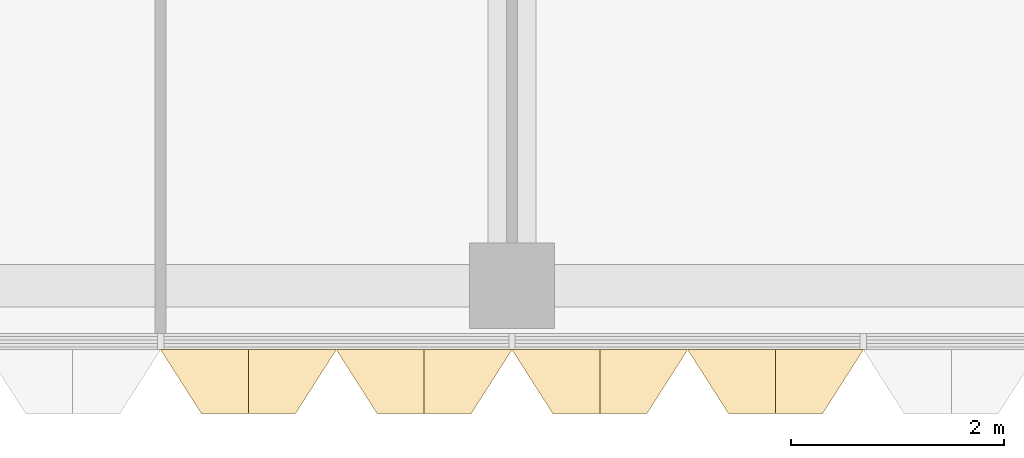
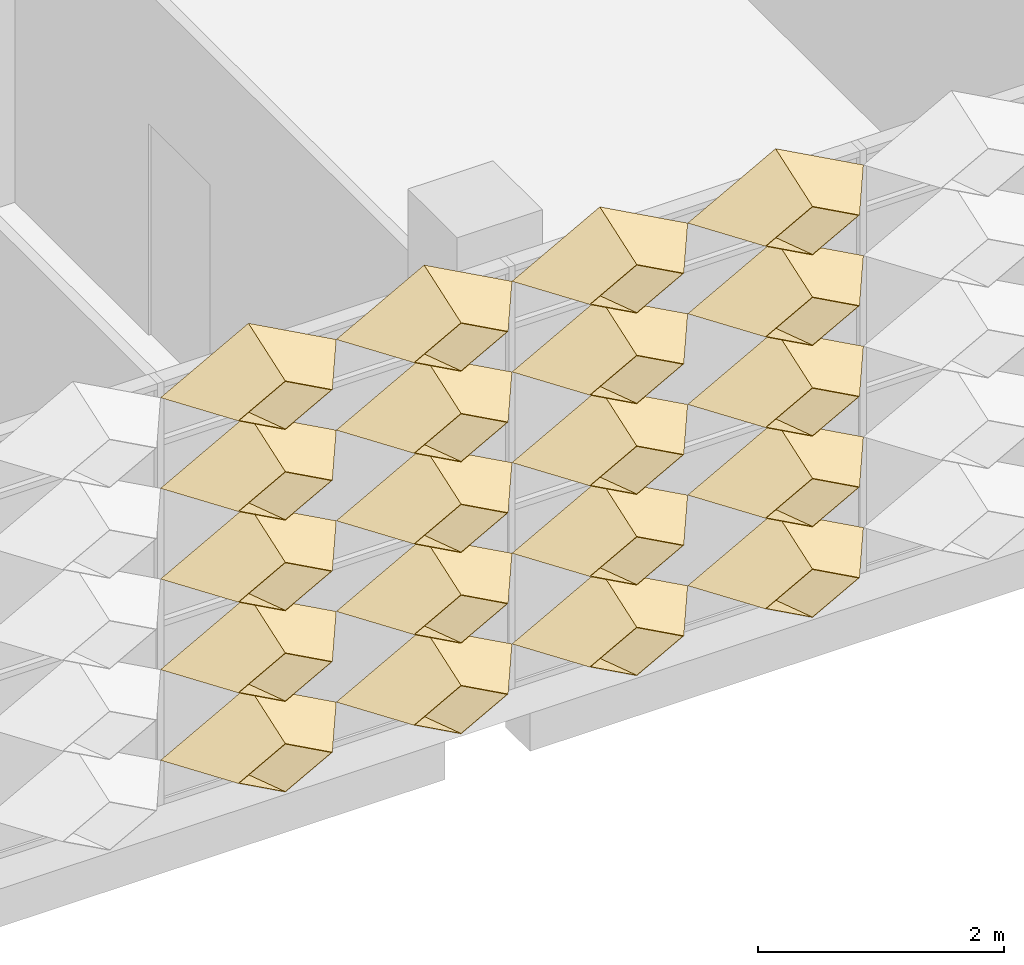
# One storey, part 29 of 39: 20 coverings.
"""IFC4 building model written with IfcOpenShell, lengths in metres."""

from ifc_helpers import new_model, entity, si_unit, direction, frame, origin, place, context, subcontext, project, spatial, material, layer, layer_set, type_object, element, save


model = new_model("IFC4")

# Units and contexts
model_context = context("Model", 3, precision=1e-05, world=origin(), true_north=direction((0.0, 1.0)))
body_context = subcontext(model_context, "Body", "Model", "MODEL_VIEW")
ifc_project = project(units=[si_unit("LENGTHUNIT", "METRE"), si_unit("AREAUNIT", "SQUARE_METRE"), si_unit("VOLUMEUNIT", "CUBIC_METRE"), si_unit("PLANEANGLEUNIT", "RADIAN"), si_unit("MASSUNIT", "GRAM", prefix="KILO")], contexts=[model_context])

# Site, building, storey
site_placement = place(None, origin())
site = spatial("IfcSite", under=ifc_project, at=site_placement, CompositionType="ELEMENT")
building_placement = place(site_placement, origin())
building = spatial("IfcBuilding", under=site, at=building_placement, Name="Lantern Court Research Institute", CompositionType="ELEMENT")
storey_placement = place(building_placement, frame((0.0, 0.0, 27.89990234375)))
storey = spatial("IfcBuildingStorey", under=building, at=storey_placement, Name="L06", CompositionType="ELEMENT", Elevation=27.89990234375)

# Coverings
ifc_material = material(Name="Anodised aluminium", Category="aluminium")
ifc_layer = layer(ifc_material, 0.01611328125)
ifc_layer_set = layer_set([ifc_layer], Name="Anodised aluminium")
covering_type = type_object("IfcCoveringType", Name="Fin cassette 1650 x 900 x 600 aluminium", PredefinedType="CLADDING", material=ifc_layer_set)
covering_1_placement = place(storey_placement, frame((63.52490234375, -8.39990234375, 0.4501953125), z_axis=(0.0, -1.0, 0.0), x_axis=(1.0, 0.0, 0.0)))
cartesian_point_1 = entity("IfcCartesianPoint", [0.824951171875, 0.0])
cartesian_point_2 = entity("IfcCartesianPoint", [0.79150390625, 0.0])
cartesian_point_3 = entity("IfcCartesianPoint", [0.44189453125, 0.0])
cartesian_point_4 = entity("IfcCartesianPoint", [0.43359375, 0.0])
element("IfcCovering", 1, at=covering_1_placement, inside=storey, type_object=covering_type, Name="Fin cassette V5S-L06 1.39", PredefinedType="CLADDING", context=body_context, shape_type="SweptSolid", body=[
    entity("IfcExtrudedAreaSolidTapered", entity("IfcArbitraryProfileDefWithVoids", "AREA", None, entity("IfcPolyline", [cartesian_point_1, entity("IfcCartesianPoint", [0.0, 0.449951171875]), entity("IfcCartesianPoint", [-0.824951171875, 0.0]), entity("IfcCartesianPoint", [0.0, -0.449951171875]), cartesian_point_1]), [entity("IfcPolyline", [cartesian_point_2, entity("IfcCartesianPoint", [0.0, 0.431884765625]), entity("IfcCartesianPoint", [-0.79150390625, 0.0]), entity("IfcCartesianPoint", [0.0, -0.431884765625]), cartesian_point_2])]), entity("IfcAxis2Placement3D", entity("IfcCartesianPoint", [0.0, 0.0, 0.0])), entity("IfcDirection", [0.0, 0.0, 1.0]), 0.60009765625, entity("IfcArbitraryProfileDefWithVoids", "AREA", None, entity("IfcPolyline", [cartesian_point_3, entity("IfcCartesianPoint", [0.0, 0.240966796875]), entity("IfcCartesianPoint", [-0.44189453125, 0.0]), entity("IfcCartesianPoint", [0.0, -0.240966796875]), cartesian_point_3]), [entity("IfcPolyline", [cartesian_point_4, entity("IfcCartesianPoint", [0.0, 0.236572265625]), entity("IfcCartesianPoint", [-0.43359375, 0.0]), entity("IfcCartesianPoint", [0.0, -0.236572265625]), cartesian_point_4])])),
])
covering_2_placement = place(storey_placement, frame((65.175048828125, -8.39990234375, 0.4501953125), z_axis=(0.0, -1.0, 0.0), x_axis=(1.0, 0.0, 0.0)))
cartesian_point_5 = entity("IfcCartesianPoint", [0.824951171875, 0.0])
cartesian_point_6 = entity("IfcCartesianPoint", [0.79150390625, 0.0])
cartesian_point_7 = entity("IfcCartesianPoint", [0.44189453125, 0.0])
cartesian_point_8 = entity("IfcCartesianPoint", [0.43359375, 0.0])
element("IfcCovering", 2, at=covering_2_placement, inside=storey, type_object=covering_type, Name="Fin cassette V5S-L06 1.40", PredefinedType="CLADDING", context=body_context, shape_type="SweptSolid", body=[
    entity("IfcExtrudedAreaSolidTapered", entity("IfcArbitraryProfileDefWithVoids", "AREA", None, entity("IfcPolyline", [cartesian_point_5, entity("IfcCartesianPoint", [0.0, 0.449951171875]), entity("IfcCartesianPoint", [-0.824951171875, 0.0]), entity("IfcCartesianPoint", [0.0, -0.449951171875]), cartesian_point_5]), [entity("IfcPolyline", [cartesian_point_6, entity("IfcCartesianPoint", [0.0, 0.431884765625]), entity("IfcCartesianPoint", [-0.79150390625, 0.0]), entity("IfcCartesianPoint", [0.0, -0.431884765625]), cartesian_point_6])]), entity("IfcAxis2Placement3D", entity("IfcCartesianPoint", [0.0, 0.0, 0.0])), entity("IfcDirection", [0.0, 0.0, 1.0]), 0.60009765625, entity("IfcArbitraryProfileDefWithVoids", "AREA", None, entity("IfcPolyline", [cartesian_point_7, entity("IfcCartesianPoint", [0.0, 0.240966796875]), entity("IfcCartesianPoint", [-0.44189453125, 0.0]), entity("IfcCartesianPoint", [0.0, -0.240966796875]), cartesian_point_7]), [entity("IfcPolyline", [cartesian_point_8, entity("IfcCartesianPoint", [0.0, 0.236572265625]), entity("IfcCartesianPoint", [-0.43359375, 0.0]), entity("IfcCartesianPoint", [0.0, -0.236572265625]), cartesian_point_8])])),
])
covering_3_placement = place(storey_placement, frame((66.824951171875, -8.39990234375, 0.4501953125), z_axis=(0.0, -1.0, 0.0), x_axis=(1.0, 0.0, 0.0)))
cartesian_point_9 = entity("IfcCartesianPoint", [0.824951171875, 0.0])
cartesian_point_10 = entity("IfcCartesianPoint", [0.79150390625, 0.0])
cartesian_point_11 = entity("IfcCartesianPoint", [0.44189453125, 0.0])
cartesian_point_12 = entity("IfcCartesianPoint", [0.43359375, 0.0])
element("IfcCovering", 3, at=covering_3_placement, inside=storey, type_object=covering_type, Name="Fin cassette V5S-L06 1.41", PredefinedType="CLADDING", context=body_context, shape_type="SweptSolid", body=[
    entity("IfcExtrudedAreaSolidTapered", entity("IfcArbitraryProfileDefWithVoids", "AREA", None, entity("IfcPolyline", [cartesian_point_9, entity("IfcCartesianPoint", [0.0, 0.449951171875]), entity("IfcCartesianPoint", [-0.824951171875, 0.0]), entity("IfcCartesianPoint", [0.0, -0.449951171875]), cartesian_point_9]), [entity("IfcPolyline", [cartesian_point_10, entity("IfcCartesianPoint", [0.0, 0.431884765625]), entity("IfcCartesianPoint", [-0.79150390625, 0.0]), entity("IfcCartesianPoint", [0.0, -0.431884765625]), cartesian_point_10])]), entity("IfcAxis2Placement3D", entity("IfcCartesianPoint", [0.0, 0.0, 0.0])), entity("IfcDirection", [0.0, 0.0, 1.0]), 0.60009765625, entity("IfcArbitraryProfileDefWithVoids", "AREA", None, entity("IfcPolyline", [cartesian_point_11, entity("IfcCartesianPoint", [0.0, 0.240966796875]), entity("IfcCartesianPoint", [-0.44189453125, 0.0]), entity("IfcCartesianPoint", [0.0, -0.240966796875]), cartesian_point_11]), [entity("IfcPolyline", [cartesian_point_12, entity("IfcCartesianPoint", [0.0, 0.236572265625]), entity("IfcCartesianPoint", [-0.43359375, 0.0]), entity("IfcCartesianPoint", [0.0, -0.236572265625]), cartesian_point_12])])),
])
covering_4_placement = place(storey_placement, frame((68.47509765625, -8.39990234375, 0.4501953125), z_axis=(0.0, -1.0, 0.0), x_axis=(1.0, 0.0, 0.0)))
cartesian_point_13 = entity("IfcCartesianPoint", [0.824951171875, 0.0])
cartesian_point_14 = entity("IfcCartesianPoint", [0.79150390625, 0.0])
cartesian_point_15 = entity("IfcCartesianPoint", [0.44189453125, 0.0])
cartesian_point_16 = entity("IfcCartesianPoint", [0.43359375, 0.0])
element("IfcCovering", 4, at=covering_4_placement, inside=storey, type_object=covering_type, Name="Fin cassette V5S-L06 1.42", PredefinedType="CLADDING", context=body_context, shape_type="SweptSolid", body=[
    entity("IfcExtrudedAreaSolidTapered", entity("IfcArbitraryProfileDefWithVoids", "AREA", None, entity("IfcPolyline", [cartesian_point_13, entity("IfcCartesianPoint", [0.0, 0.449951171875]), entity("IfcCartesianPoint", [-0.824951171875, 0.0]), entity("IfcCartesianPoint", [0.0, -0.449951171875]), cartesian_point_13]), [entity("IfcPolyline", [cartesian_point_14, entity("IfcCartesianPoint", [0.0, 0.431884765625]), entity("IfcCartesianPoint", [-0.79150390625, 0.0]), entity("IfcCartesianPoint", [0.0, -0.431884765625]), cartesian_point_14])]), entity("IfcAxis2Placement3D", entity("IfcCartesianPoint", [0.0, 0.0, 0.0])), entity("IfcDirection", [0.0, 0.0, 1.0]), 0.60009765625, entity("IfcArbitraryProfileDefWithVoids", "AREA", None, entity("IfcPolyline", [cartesian_point_15, entity("IfcCartesianPoint", [0.0, 0.240966796875]), entity("IfcCartesianPoint", [-0.44189453125, 0.0]), entity("IfcCartesianPoint", [0.0, -0.240966796875]), cartesian_point_15]), [entity("IfcPolyline", [cartesian_point_16, entity("IfcCartesianPoint", [0.0, 0.236572265625]), entity("IfcCartesianPoint", [-0.43359375, 0.0]), entity("IfcCartesianPoint", [0.0, -0.236572265625]), cartesian_point_16])])),
])
covering_5_placement = place(storey_placement, frame((63.52490234375, -8.39990234375, 1.35009765625), z_axis=(0.0, -1.0, 0.0), x_axis=(1.0, 0.0, 0.0)))
cartesian_point_17 = entity("IfcCartesianPoint", [0.824951171875, 0.0])
cartesian_point_18 = entity("IfcCartesianPoint", [0.79150390625, 0.0])
cartesian_point_19 = entity("IfcCartesianPoint", [0.44189453125, 0.0])
cartesian_point_20 = entity("IfcCartesianPoint", [0.43359375, 0.0])
element("IfcCovering", 5, at=covering_5_placement, inside=storey, type_object=covering_type, Name="Fin cassette V5S-L06 2.39", PredefinedType="CLADDING", context=body_context, shape_type="SweptSolid", body=[
    entity("IfcExtrudedAreaSolidTapered", entity("IfcArbitraryProfileDefWithVoids", "AREA", None, entity("IfcPolyline", [cartesian_point_17, entity("IfcCartesianPoint", [0.0, 0.449951171875]), entity("IfcCartesianPoint", [-0.824951171875, 0.0]), entity("IfcCartesianPoint", [0.0, -0.449951171875]), cartesian_point_17]), [entity("IfcPolyline", [cartesian_point_18, entity("IfcCartesianPoint", [0.0, 0.431884765625]), entity("IfcCartesianPoint", [-0.79150390625, 0.0]), entity("IfcCartesianPoint", [0.0, -0.431884765625]), cartesian_point_18])]), entity("IfcAxis2Placement3D", entity("IfcCartesianPoint", [0.0, 0.0, 0.0])), entity("IfcDirection", [0.0, 0.0, 1.0]), 0.60009765625, entity("IfcArbitraryProfileDefWithVoids", "AREA", None, entity("IfcPolyline", [cartesian_point_19, entity("IfcCartesianPoint", [0.0, 0.240966796875]), entity("IfcCartesianPoint", [-0.44189453125, 0.0]), entity("IfcCartesianPoint", [0.0, -0.240966796875]), cartesian_point_19]), [entity("IfcPolyline", [cartesian_point_20, entity("IfcCartesianPoint", [0.0, 0.236572265625]), entity("IfcCartesianPoint", [-0.43359375, 0.0]), entity("IfcCartesianPoint", [0.0, -0.236572265625]), cartesian_point_20])])),
])
covering_6_placement = place(storey_placement, frame((65.175048828125, -8.39990234375, 1.35009765625), z_axis=(0.0, -1.0, 0.0), x_axis=(1.0, 0.0, 0.0)))
cartesian_point_21 = entity("IfcCartesianPoint", [0.824951171875, 0.0])
cartesian_point_22 = entity("IfcCartesianPoint", [0.79150390625, 0.0])
cartesian_point_23 = entity("IfcCartesianPoint", [0.44189453125, 0.0])
cartesian_point_24 = entity("IfcCartesianPoint", [0.43359375, 0.0])
element("IfcCovering", 6, at=covering_6_placement, inside=storey, type_object=covering_type, Name="Fin cassette V5S-L06 2.40", PredefinedType="CLADDING", context=body_context, shape_type="SweptSolid", body=[
    entity("IfcExtrudedAreaSolidTapered", entity("IfcArbitraryProfileDefWithVoids", "AREA", None, entity("IfcPolyline", [cartesian_point_21, entity("IfcCartesianPoint", [0.0, 0.449951171875]), entity("IfcCartesianPoint", [-0.824951171875, 0.0]), entity("IfcCartesianPoint", [0.0, -0.449951171875]), cartesian_point_21]), [entity("IfcPolyline", [cartesian_point_22, entity("IfcCartesianPoint", [0.0, 0.431884765625]), entity("IfcCartesianPoint", [-0.79150390625, 0.0]), entity("IfcCartesianPoint", [0.0, -0.431884765625]), cartesian_point_22])]), entity("IfcAxis2Placement3D", entity("IfcCartesianPoint", [0.0, 0.0, 0.0])), entity("IfcDirection", [0.0, 0.0, 1.0]), 0.60009765625, entity("IfcArbitraryProfileDefWithVoids", "AREA", None, entity("IfcPolyline", [cartesian_point_23, entity("IfcCartesianPoint", [0.0, 0.240966796875]), entity("IfcCartesianPoint", [-0.44189453125, 0.0]), entity("IfcCartesianPoint", [0.0, -0.240966796875]), cartesian_point_23]), [entity("IfcPolyline", [cartesian_point_24, entity("IfcCartesianPoint", [0.0, 0.236572265625]), entity("IfcCartesianPoint", [-0.43359375, 0.0]), entity("IfcCartesianPoint", [0.0, -0.236572265625]), cartesian_point_24])])),
])
covering_7_placement = place(storey_placement, frame((66.824951171875, -8.39990234375, 1.35009765625), z_axis=(0.0, -1.0, 0.0), x_axis=(1.0, 0.0, 0.0)))
cartesian_point_25 = entity("IfcCartesianPoint", [0.824951171875, 0.0])
cartesian_point_26 = entity("IfcCartesianPoint", [0.79150390625, 0.0])
cartesian_point_27 = entity("IfcCartesianPoint", [0.44189453125, 0.0])
cartesian_point_28 = entity("IfcCartesianPoint", [0.43359375, 0.0])
element("IfcCovering", 7, at=covering_7_placement, inside=storey, type_object=covering_type, Name="Fin cassette V5S-L06 2.41", PredefinedType="CLADDING", context=body_context, shape_type="SweptSolid", body=[
    entity("IfcExtrudedAreaSolidTapered", entity("IfcArbitraryProfileDefWithVoids", "AREA", None, entity("IfcPolyline", [cartesian_point_25, entity("IfcCartesianPoint", [0.0, 0.449951171875]), entity("IfcCartesianPoint", [-0.824951171875, 0.0]), entity("IfcCartesianPoint", [0.0, -0.449951171875]), cartesian_point_25]), [entity("IfcPolyline", [cartesian_point_26, entity("IfcCartesianPoint", [0.0, 0.431884765625]), entity("IfcCartesianPoint", [-0.79150390625, 0.0]), entity("IfcCartesianPoint", [0.0, -0.431884765625]), cartesian_point_26])]), entity("IfcAxis2Placement3D", entity("IfcCartesianPoint", [0.0, 0.0, 0.0])), entity("IfcDirection", [0.0, 0.0, 1.0]), 0.60009765625, entity("IfcArbitraryProfileDefWithVoids", "AREA", None, entity("IfcPolyline", [cartesian_point_27, entity("IfcCartesianPoint", [0.0, 0.240966796875]), entity("IfcCartesianPoint", [-0.44189453125, 0.0]), entity("IfcCartesianPoint", [0.0, -0.240966796875]), cartesian_point_27]), [entity("IfcPolyline", [cartesian_point_28, entity("IfcCartesianPoint", [0.0, 0.236572265625]), entity("IfcCartesianPoint", [-0.43359375, 0.0]), entity("IfcCartesianPoint", [0.0, -0.236572265625]), cartesian_point_28])])),
])
covering_8_placement = place(storey_placement, frame((68.47509765625, -8.39990234375, 1.35009765625), z_axis=(0.0, -1.0, 0.0), x_axis=(1.0, 0.0, 0.0)))
cartesian_point_29 = entity("IfcCartesianPoint", [0.824951171875, 0.0])
cartesian_point_30 = entity("IfcCartesianPoint", [0.79150390625, 0.0])
cartesian_point_31 = entity("IfcCartesianPoint", [0.44189453125, 0.0])
cartesian_point_32 = entity("IfcCartesianPoint", [0.43359375, 0.0])
element("IfcCovering", 8, at=covering_8_placement, inside=storey, type_object=covering_type, Name="Fin cassette V5S-L06 2.42", PredefinedType="CLADDING", context=body_context, shape_type="SweptSolid", body=[
    entity("IfcExtrudedAreaSolidTapered", entity("IfcArbitraryProfileDefWithVoids", "AREA", None, entity("IfcPolyline", [cartesian_point_29, entity("IfcCartesianPoint", [0.0, 0.449951171875]), entity("IfcCartesianPoint", [-0.824951171875, 0.0]), entity("IfcCartesianPoint", [0.0, -0.449951171875]), cartesian_point_29]), [entity("IfcPolyline", [cartesian_point_30, entity("IfcCartesianPoint", [0.0, 0.431884765625]), entity("IfcCartesianPoint", [-0.79150390625, 0.0]), entity("IfcCartesianPoint", [0.0, -0.431884765625]), cartesian_point_30])]), entity("IfcAxis2Placement3D", entity("IfcCartesianPoint", [0.0, 0.0, 0.0])), entity("IfcDirection", [0.0, 0.0, 1.0]), 0.60009765625, entity("IfcArbitraryProfileDefWithVoids", "AREA", None, entity("IfcPolyline", [cartesian_point_31, entity("IfcCartesianPoint", [0.0, 0.240966796875]), entity("IfcCartesianPoint", [-0.44189453125, 0.0]), entity("IfcCartesianPoint", [0.0, -0.240966796875]), cartesian_point_31]), [entity("IfcPolyline", [cartesian_point_32, entity("IfcCartesianPoint", [0.0, 0.236572265625]), entity("IfcCartesianPoint", [-0.43359375, 0.0]), entity("IfcCartesianPoint", [0.0, -0.236572265625]), cartesian_point_32])])),
])
covering_9_placement = place(storey_placement, frame((63.52490234375, -8.39990234375, 2.25), z_axis=(0.0, -1.0, 0.0), x_axis=(1.0, 0.0, 0.0)))
cartesian_point_33 = entity("IfcCartesianPoint", [0.824951171875, 0.0])
cartesian_point_34 = entity("IfcCartesianPoint", [0.79150390625, 0.0])
cartesian_point_35 = entity("IfcCartesianPoint", [0.44189453125, 0.0])
cartesian_point_36 = entity("IfcCartesianPoint", [0.43359375, 0.0])
element("IfcCovering", 9, at=covering_9_placement, inside=storey, type_object=covering_type, Name="Fin cassette V5S-L06 3.39", PredefinedType="CLADDING", context=body_context, shape_type="SweptSolid", body=[
    entity("IfcExtrudedAreaSolidTapered", entity("IfcArbitraryProfileDefWithVoids", "AREA", None, entity("IfcPolyline", [cartesian_point_33, entity("IfcCartesianPoint", [0.0, 0.449951171875]), entity("IfcCartesianPoint", [-0.824951171875, 0.0]), entity("IfcCartesianPoint", [0.0, -0.449951171875]), cartesian_point_33]), [entity("IfcPolyline", [cartesian_point_34, entity("IfcCartesianPoint", [0.0, 0.431884765625]), entity("IfcCartesianPoint", [-0.79150390625, 0.0]), entity("IfcCartesianPoint", [0.0, -0.431884765625]), cartesian_point_34])]), entity("IfcAxis2Placement3D", entity("IfcCartesianPoint", [0.0, 0.0, 0.0])), entity("IfcDirection", [0.0, 0.0, 1.0]), 0.60009765625, entity("IfcArbitraryProfileDefWithVoids", "AREA", None, entity("IfcPolyline", [cartesian_point_35, entity("IfcCartesianPoint", [0.0, 0.240966796875]), entity("IfcCartesianPoint", [-0.44189453125, 0.0]), entity("IfcCartesianPoint", [0.0, -0.240966796875]), cartesian_point_35]), [entity("IfcPolyline", [cartesian_point_36, entity("IfcCartesianPoint", [0.0, 0.236572265625]), entity("IfcCartesianPoint", [-0.43359375, 0.0]), entity("IfcCartesianPoint", [0.0, -0.236572265625]), cartesian_point_36])])),
])
covering_10_placement = place(storey_placement, frame((65.175048828125, -8.39990234375, 2.25), z_axis=(0.0, -1.0, 0.0), x_axis=(1.0, 0.0, 0.0)))
cartesian_point_37 = entity("IfcCartesianPoint", [0.824951171875, 0.0])
cartesian_point_38 = entity("IfcCartesianPoint", [0.79150390625, 0.0])
cartesian_point_39 = entity("IfcCartesianPoint", [0.44189453125, 0.0])
cartesian_point_40 = entity("IfcCartesianPoint", [0.43359375, 0.0])
element("IfcCovering", 10, at=covering_10_placement, inside=storey, type_object=covering_type, Name="Fin cassette V5S-L06 3.40", PredefinedType="CLADDING", context=body_context, shape_type="SweptSolid", body=[
    entity("IfcExtrudedAreaSolidTapered", entity("IfcArbitraryProfileDefWithVoids", "AREA", None, entity("IfcPolyline", [cartesian_point_37, entity("IfcCartesianPoint", [0.0, 0.449951171875]), entity("IfcCartesianPoint", [-0.824951171875, 0.0]), entity("IfcCartesianPoint", [0.0, -0.449951171875]), cartesian_point_37]), [entity("IfcPolyline", [cartesian_point_38, entity("IfcCartesianPoint", [0.0, 0.431884765625]), entity("IfcCartesianPoint", [-0.79150390625, 0.0]), entity("IfcCartesianPoint", [0.0, -0.431884765625]), cartesian_point_38])]), entity("IfcAxis2Placement3D", entity("IfcCartesianPoint", [0.0, 0.0, 0.0])), entity("IfcDirection", [0.0, 0.0, 1.0]), 0.60009765625, entity("IfcArbitraryProfileDefWithVoids", "AREA", None, entity("IfcPolyline", [cartesian_point_39, entity("IfcCartesianPoint", [0.0, 0.240966796875]), entity("IfcCartesianPoint", [-0.44189453125, 0.0]), entity("IfcCartesianPoint", [0.0, -0.240966796875]), cartesian_point_39]), [entity("IfcPolyline", [cartesian_point_40, entity("IfcCartesianPoint", [0.0, 0.236572265625]), entity("IfcCartesianPoint", [-0.43359375, 0.0]), entity("IfcCartesianPoint", [0.0, -0.236572265625]), cartesian_point_40])])),
])
covering_11_placement = place(storey_placement, frame((66.824951171875, -8.39990234375, 2.25), z_axis=(0.0, -1.0, 0.0), x_axis=(1.0, 0.0, 0.0)))
cartesian_point_41 = entity("IfcCartesianPoint", [0.824951171875, 0.0])
cartesian_point_42 = entity("IfcCartesianPoint", [0.79150390625, 0.0])
cartesian_point_43 = entity("IfcCartesianPoint", [0.44189453125, 0.0])
cartesian_point_44 = entity("IfcCartesianPoint", [0.43359375, 0.0])
element("IfcCovering", 11, at=covering_11_placement, inside=storey, type_object=covering_type, Name="Fin cassette V5S-L06 3.41", PredefinedType="CLADDING", context=body_context, shape_type="SweptSolid", body=[
    entity("IfcExtrudedAreaSolidTapered", entity("IfcArbitraryProfileDefWithVoids", "AREA", None, entity("IfcPolyline", [cartesian_point_41, entity("IfcCartesianPoint", [0.0, 0.449951171875]), entity("IfcCartesianPoint", [-0.824951171875, 0.0]), entity("IfcCartesianPoint", [0.0, -0.449951171875]), cartesian_point_41]), [entity("IfcPolyline", [cartesian_point_42, entity("IfcCartesianPoint", [0.0, 0.431884765625]), entity("IfcCartesianPoint", [-0.79150390625, 0.0]), entity("IfcCartesianPoint", [0.0, -0.431884765625]), cartesian_point_42])]), entity("IfcAxis2Placement3D", entity("IfcCartesianPoint", [0.0, 0.0, 0.0])), entity("IfcDirection", [0.0, 0.0, 1.0]), 0.60009765625, entity("IfcArbitraryProfileDefWithVoids", "AREA", None, entity("IfcPolyline", [cartesian_point_43, entity("IfcCartesianPoint", [0.0, 0.240966796875]), entity("IfcCartesianPoint", [-0.44189453125, 0.0]), entity("IfcCartesianPoint", [0.0, -0.240966796875]), cartesian_point_43]), [entity("IfcPolyline", [cartesian_point_44, entity("IfcCartesianPoint", [0.0, 0.236572265625]), entity("IfcCartesianPoint", [-0.43359375, 0.0]), entity("IfcCartesianPoint", [0.0, -0.236572265625]), cartesian_point_44])])),
])
covering_12_placement = place(storey_placement, frame((68.47509765625, -8.39990234375, 2.25), z_axis=(0.0, -1.0, 0.0), x_axis=(1.0, 0.0, 0.0)))
cartesian_point_45 = entity("IfcCartesianPoint", [0.824951171875, 0.0])
cartesian_point_46 = entity("IfcCartesianPoint", [0.79150390625, 0.0])
cartesian_point_47 = entity("IfcCartesianPoint", [0.44189453125, 0.0])
cartesian_point_48 = entity("IfcCartesianPoint", [0.43359375, 0.0])
element("IfcCovering", 12, at=covering_12_placement, inside=storey, type_object=covering_type, Name="Fin cassette V5S-L06 3.42", PredefinedType="CLADDING", context=body_context, shape_type="SweptSolid", body=[
    entity("IfcExtrudedAreaSolidTapered", entity("IfcArbitraryProfileDefWithVoids", "AREA", None, entity("IfcPolyline", [cartesian_point_45, entity("IfcCartesianPoint", [0.0, 0.449951171875]), entity("IfcCartesianPoint", [-0.824951171875, 0.0]), entity("IfcCartesianPoint", [0.0, -0.449951171875]), cartesian_point_45]), [entity("IfcPolyline", [cartesian_point_46, entity("IfcCartesianPoint", [0.0, 0.431884765625]), entity("IfcCartesianPoint", [-0.79150390625, 0.0]), entity("IfcCartesianPoint", [0.0, -0.431884765625]), cartesian_point_46])]), entity("IfcAxis2Placement3D", entity("IfcCartesianPoint", [0.0, 0.0, 0.0])), entity("IfcDirection", [0.0, 0.0, 1.0]), 0.60009765625, entity("IfcArbitraryProfileDefWithVoids", "AREA", None, entity("IfcPolyline", [cartesian_point_47, entity("IfcCartesianPoint", [0.0, 0.240966796875]), entity("IfcCartesianPoint", [-0.44189453125, 0.0]), entity("IfcCartesianPoint", [0.0, -0.240966796875]), cartesian_point_47]), [entity("IfcPolyline", [cartesian_point_48, entity("IfcCartesianPoint", [0.0, 0.236572265625]), entity("IfcCartesianPoint", [-0.43359375, 0.0]), entity("IfcCartesianPoint", [0.0, -0.236572265625]), cartesian_point_48])])),
])
covering_13_placement = place(storey_placement, frame((63.52490234375, -8.39990234375, 3.150146484375), z_axis=(0.0, -1.0, 0.0), x_axis=(1.0, 0.0, 0.0)))
cartesian_point_49 = entity("IfcCartesianPoint", [0.824951171875, 0.0])
cartesian_point_50 = entity("IfcCartesianPoint", [0.79150390625, 0.0])
cartesian_point_51 = entity("IfcCartesianPoint", [0.44189453125, 0.0])
cartesian_point_52 = entity("IfcCartesianPoint", [0.43359375, 0.0])
element("IfcCovering", 13, at=covering_13_placement, inside=storey, type_object=covering_type, Name="Fin cassette V5S-L06 4.39", PredefinedType="CLADDING", context=body_context, shape_type="SweptSolid", body=[
    entity("IfcExtrudedAreaSolidTapered", entity("IfcArbitraryProfileDefWithVoids", "AREA", None, entity("IfcPolyline", [cartesian_point_49, entity("IfcCartesianPoint", [0.0, 0.449951171875]), entity("IfcCartesianPoint", [-0.824951171875, 0.0]), entity("IfcCartesianPoint", [0.0, -0.449951171875]), cartesian_point_49]), [entity("IfcPolyline", [cartesian_point_50, entity("IfcCartesianPoint", [0.0, 0.431884765625]), entity("IfcCartesianPoint", [-0.79150390625, 0.0]), entity("IfcCartesianPoint", [0.0, -0.431884765625]), cartesian_point_50])]), entity("IfcAxis2Placement3D", entity("IfcCartesianPoint", [0.0, 0.0, 0.0])), entity("IfcDirection", [0.0, 0.0, 1.0]), 0.60009765625, entity("IfcArbitraryProfileDefWithVoids", "AREA", None, entity("IfcPolyline", [cartesian_point_51, entity("IfcCartesianPoint", [0.0, 0.240966796875]), entity("IfcCartesianPoint", [-0.44189453125, 0.0]), entity("IfcCartesianPoint", [0.0, -0.240966796875]), cartesian_point_51]), [entity("IfcPolyline", [cartesian_point_52, entity("IfcCartesianPoint", [0.0, 0.236572265625]), entity("IfcCartesianPoint", [-0.43359375, 0.0]), entity("IfcCartesianPoint", [0.0, -0.236572265625]), cartesian_point_52])])),
])
covering_14_placement = place(storey_placement, frame((65.175048828125, -8.39990234375, 3.150146484375), z_axis=(0.0, -1.0, 0.0), x_axis=(1.0, 0.0, 0.0)))
cartesian_point_53 = entity("IfcCartesianPoint", [0.824951171875, 0.0])
cartesian_point_54 = entity("IfcCartesianPoint", [0.79150390625, 0.0])
cartesian_point_55 = entity("IfcCartesianPoint", [0.44189453125, 0.0])
cartesian_point_56 = entity("IfcCartesianPoint", [0.43359375, 0.0])
element("IfcCovering", 14, at=covering_14_placement, inside=storey, type_object=covering_type, Name="Fin cassette V5S-L06 4.40", PredefinedType="CLADDING", context=body_context, shape_type="SweptSolid", body=[
    entity("IfcExtrudedAreaSolidTapered", entity("IfcArbitraryProfileDefWithVoids", "AREA", None, entity("IfcPolyline", [cartesian_point_53, entity("IfcCartesianPoint", [0.0, 0.449951171875]), entity("IfcCartesianPoint", [-0.824951171875, 0.0]), entity("IfcCartesianPoint", [0.0, -0.449951171875]), cartesian_point_53]), [entity("IfcPolyline", [cartesian_point_54, entity("IfcCartesianPoint", [0.0, 0.431884765625]), entity("IfcCartesianPoint", [-0.79150390625, 0.0]), entity("IfcCartesianPoint", [0.0, -0.431884765625]), cartesian_point_54])]), entity("IfcAxis2Placement3D", entity("IfcCartesianPoint", [0.0, 0.0, 0.0])), entity("IfcDirection", [0.0, 0.0, 1.0]), 0.60009765625, entity("IfcArbitraryProfileDefWithVoids", "AREA", None, entity("IfcPolyline", [cartesian_point_55, entity("IfcCartesianPoint", [0.0, 0.240966796875]), entity("IfcCartesianPoint", [-0.44189453125, 0.0]), entity("IfcCartesianPoint", [0.0, -0.240966796875]), cartesian_point_55]), [entity("IfcPolyline", [cartesian_point_56, entity("IfcCartesianPoint", [0.0, 0.236572265625]), entity("IfcCartesianPoint", [-0.43359375, 0.0]), entity("IfcCartesianPoint", [0.0, -0.236572265625]), cartesian_point_56])])),
])
covering_15_placement = place(storey_placement, frame((66.824951171875, -8.39990234375, 3.150146484375), z_axis=(0.0, -1.0, 0.0), x_axis=(1.0, 0.0, 0.0)))
cartesian_point_57 = entity("IfcCartesianPoint", [0.824951171875, 0.0])
cartesian_point_58 = entity("IfcCartesianPoint", [0.79150390625, 0.0])
cartesian_point_59 = entity("IfcCartesianPoint", [0.44189453125, 0.0])
cartesian_point_60 = entity("IfcCartesianPoint", [0.43359375, 0.0])
element("IfcCovering", 15, at=covering_15_placement, inside=storey, type_object=covering_type, Name="Fin cassette V5S-L06 4.41", PredefinedType="CLADDING", context=body_context, shape_type="SweptSolid", body=[
    entity("IfcExtrudedAreaSolidTapered", entity("IfcArbitraryProfileDefWithVoids", "AREA", None, entity("IfcPolyline", [cartesian_point_57, entity("IfcCartesianPoint", [0.0, 0.449951171875]), entity("IfcCartesianPoint", [-0.824951171875, 0.0]), entity("IfcCartesianPoint", [0.0, -0.449951171875]), cartesian_point_57]), [entity("IfcPolyline", [cartesian_point_58, entity("IfcCartesianPoint", [0.0, 0.431884765625]), entity("IfcCartesianPoint", [-0.79150390625, 0.0]), entity("IfcCartesianPoint", [0.0, -0.431884765625]), cartesian_point_58])]), entity("IfcAxis2Placement3D", entity("IfcCartesianPoint", [0.0, 0.0, 0.0])), entity("IfcDirection", [0.0, 0.0, 1.0]), 0.60009765625, entity("IfcArbitraryProfileDefWithVoids", "AREA", None, entity("IfcPolyline", [cartesian_point_59, entity("IfcCartesianPoint", [0.0, 0.240966796875]), entity("IfcCartesianPoint", [-0.44189453125, 0.0]), entity("IfcCartesianPoint", [0.0, -0.240966796875]), cartesian_point_59]), [entity("IfcPolyline", [cartesian_point_60, entity("IfcCartesianPoint", [0.0, 0.236572265625]), entity("IfcCartesianPoint", [-0.43359375, 0.0]), entity("IfcCartesianPoint", [0.0, -0.236572265625]), cartesian_point_60])])),
])
covering_16_placement = place(storey_placement, frame((68.47509765625, -8.39990234375, 3.150146484375), z_axis=(0.0, -1.0, 0.0), x_axis=(1.0, 0.0, 0.0)))
cartesian_point_61 = entity("IfcCartesianPoint", [0.824951171875, 0.0])
cartesian_point_62 = entity("IfcCartesianPoint", [0.79150390625, 0.0])
cartesian_point_63 = entity("IfcCartesianPoint", [0.44189453125, 0.0])
cartesian_point_64 = entity("IfcCartesianPoint", [0.43359375, 0.0])
element("IfcCovering", 16, at=covering_16_placement, inside=storey, type_object=covering_type, Name="Fin cassette V5S-L06 4.42", PredefinedType="CLADDING", context=body_context, shape_type="SweptSolid", body=[
    entity("IfcExtrudedAreaSolidTapered", entity("IfcArbitraryProfileDefWithVoids", "AREA", None, entity("IfcPolyline", [cartesian_point_61, entity("IfcCartesianPoint", [0.0, 0.449951171875]), entity("IfcCartesianPoint", [-0.824951171875, 0.0]), entity("IfcCartesianPoint", [0.0, -0.449951171875]), cartesian_point_61]), [entity("IfcPolyline", [cartesian_point_62, entity("IfcCartesianPoint", [0.0, 0.431884765625]), entity("IfcCartesianPoint", [-0.79150390625, 0.0]), entity("IfcCartesianPoint", [0.0, -0.431884765625]), cartesian_point_62])]), entity("IfcAxis2Placement3D", entity("IfcCartesianPoint", [0.0, 0.0, 0.0])), entity("IfcDirection", [0.0, 0.0, 1.0]), 0.60009765625, entity("IfcArbitraryProfileDefWithVoids", "AREA", None, entity("IfcPolyline", [cartesian_point_63, entity("IfcCartesianPoint", [0.0, 0.240966796875]), entity("IfcCartesianPoint", [-0.44189453125, 0.0]), entity("IfcCartesianPoint", [0.0, -0.240966796875]), cartesian_point_63]), [entity("IfcPolyline", [cartesian_point_64, entity("IfcCartesianPoint", [0.0, 0.236572265625]), entity("IfcCartesianPoint", [-0.43359375, 0.0]), entity("IfcCartesianPoint", [0.0, -0.236572265625]), cartesian_point_64])])),
])
covering_17_placement = place(storey_placement, frame((63.52490234375, -8.39990234375, 4.050048828125), z_axis=(0.0, -1.0, 0.0), x_axis=(1.0, 0.0, 0.0)))
cartesian_point_65 = entity("IfcCartesianPoint", [0.824951171875, 0.0])
cartesian_point_66 = entity("IfcCartesianPoint", [0.79150390625, 0.0])
cartesian_point_67 = entity("IfcCartesianPoint", [0.44189453125, 0.0])
cartesian_point_68 = entity("IfcCartesianPoint", [0.43359375, 0.0])
element("IfcCovering", 17, at=covering_17_placement, inside=storey, type_object=covering_type, Name="Fin cassette V5S-L06 5.39", PredefinedType="CLADDING", context=body_context, shape_type="SweptSolid", body=[
    entity("IfcExtrudedAreaSolidTapered", entity("IfcArbitraryProfileDefWithVoids", "AREA", None, entity("IfcPolyline", [cartesian_point_65, entity("IfcCartesianPoint", [0.0, 0.449951171875]), entity("IfcCartesianPoint", [-0.824951171875, 0.0]), entity("IfcCartesianPoint", [0.0, -0.449951171875]), cartesian_point_65]), [entity("IfcPolyline", [cartesian_point_66, entity("IfcCartesianPoint", [0.0, 0.431884765625]), entity("IfcCartesianPoint", [-0.79150390625, 0.0]), entity("IfcCartesianPoint", [0.0, -0.431884765625]), cartesian_point_66])]), entity("IfcAxis2Placement3D", entity("IfcCartesianPoint", [0.0, 0.0, 0.0])), entity("IfcDirection", [0.0, 0.0, 1.0]), 0.60009765625, entity("IfcArbitraryProfileDefWithVoids", "AREA", None, entity("IfcPolyline", [cartesian_point_67, entity("IfcCartesianPoint", [0.0, 0.240966796875]), entity("IfcCartesianPoint", [-0.44189453125, 0.0]), entity("IfcCartesianPoint", [0.0, -0.240966796875]), cartesian_point_67]), [entity("IfcPolyline", [cartesian_point_68, entity("IfcCartesianPoint", [0.0, 0.236572265625]), entity("IfcCartesianPoint", [-0.43359375, 0.0]), entity("IfcCartesianPoint", [0.0, -0.236572265625]), cartesian_point_68])])),
])
covering_18_placement = place(storey_placement, frame((65.175048828125, -8.39990234375, 4.050048828125), z_axis=(0.0, -1.0, 0.0), x_axis=(1.0, 0.0, 0.0)))
cartesian_point_69 = entity("IfcCartesianPoint", [0.824951171875, 0.0])
cartesian_point_70 = entity("IfcCartesianPoint", [0.79150390625, 0.0])
cartesian_point_71 = entity("IfcCartesianPoint", [0.44189453125, 0.0])
cartesian_point_72 = entity("IfcCartesianPoint", [0.43359375, 0.0])
element("IfcCovering", 18, at=covering_18_placement, inside=storey, type_object=covering_type, Name="Fin cassette V5S-L06 5.40", PredefinedType="CLADDING", context=body_context, shape_type="SweptSolid", body=[
    entity("IfcExtrudedAreaSolidTapered", entity("IfcArbitraryProfileDefWithVoids", "AREA", None, entity("IfcPolyline", [cartesian_point_69, entity("IfcCartesianPoint", [0.0, 0.449951171875]), entity("IfcCartesianPoint", [-0.824951171875, 0.0]), entity("IfcCartesianPoint", [0.0, -0.449951171875]), cartesian_point_69]), [entity("IfcPolyline", [cartesian_point_70, entity("IfcCartesianPoint", [0.0, 0.431884765625]), entity("IfcCartesianPoint", [-0.79150390625, 0.0]), entity("IfcCartesianPoint", [0.0, -0.431884765625]), cartesian_point_70])]), entity("IfcAxis2Placement3D", entity("IfcCartesianPoint", [0.0, 0.0, 0.0])), entity("IfcDirection", [0.0, 0.0, 1.0]), 0.60009765625, entity("IfcArbitraryProfileDefWithVoids", "AREA", None, entity("IfcPolyline", [cartesian_point_71, entity("IfcCartesianPoint", [0.0, 0.240966796875]), entity("IfcCartesianPoint", [-0.44189453125, 0.0]), entity("IfcCartesianPoint", [0.0, -0.240966796875]), cartesian_point_71]), [entity("IfcPolyline", [cartesian_point_72, entity("IfcCartesianPoint", [0.0, 0.236572265625]), entity("IfcCartesianPoint", [-0.43359375, 0.0]), entity("IfcCartesianPoint", [0.0, -0.236572265625]), cartesian_point_72])])),
])
covering_19_placement = place(storey_placement, frame((66.824951171875, -8.39990234375, 4.050048828125), z_axis=(0.0, -1.0, 0.0), x_axis=(1.0, 0.0, 0.0)))
cartesian_point_73 = entity("IfcCartesianPoint", [0.824951171875, 0.0])
cartesian_point_74 = entity("IfcCartesianPoint", [0.79150390625, 0.0])
cartesian_point_75 = entity("IfcCartesianPoint", [0.44189453125, 0.0])
cartesian_point_76 = entity("IfcCartesianPoint", [0.43359375, 0.0])
element("IfcCovering", 19, at=covering_19_placement, inside=storey, type_object=covering_type, Name="Fin cassette V5S-L06 5.41", PredefinedType="CLADDING", context=body_context, shape_type="SweptSolid", body=[
    entity("IfcExtrudedAreaSolidTapered", entity("IfcArbitraryProfileDefWithVoids", "AREA", None, entity("IfcPolyline", [cartesian_point_73, entity("IfcCartesianPoint", [0.0, 0.449951171875]), entity("IfcCartesianPoint", [-0.824951171875, 0.0]), entity("IfcCartesianPoint", [0.0, -0.449951171875]), cartesian_point_73]), [entity("IfcPolyline", [cartesian_point_74, entity("IfcCartesianPoint", [0.0, 0.431884765625]), entity("IfcCartesianPoint", [-0.79150390625, 0.0]), entity("IfcCartesianPoint", [0.0, -0.431884765625]), cartesian_point_74])]), entity("IfcAxis2Placement3D", entity("IfcCartesianPoint", [0.0, 0.0, 0.0])), entity("IfcDirection", [0.0, 0.0, 1.0]), 0.60009765625, entity("IfcArbitraryProfileDefWithVoids", "AREA", None, entity("IfcPolyline", [cartesian_point_75, entity("IfcCartesianPoint", [0.0, 0.240966796875]), entity("IfcCartesianPoint", [-0.44189453125, 0.0]), entity("IfcCartesianPoint", [0.0, -0.240966796875]), cartesian_point_75]), [entity("IfcPolyline", [cartesian_point_76, entity("IfcCartesianPoint", [0.0, 0.236572265625]), entity("IfcCartesianPoint", [-0.43359375, 0.0]), entity("IfcCartesianPoint", [0.0, -0.236572265625]), cartesian_point_76])])),
])
covering_20_placement = place(storey_placement, frame((68.47509765625, -8.39990234375, 4.050048828125), z_axis=(0.0, -1.0, 0.0), x_axis=(1.0, 0.0, 0.0)))
cartesian_point_77 = entity("IfcCartesianPoint", [0.824951171875, 0.0])
cartesian_point_78 = entity("IfcCartesianPoint", [0.79150390625, 0.0])
cartesian_point_79 = entity("IfcCartesianPoint", [0.44189453125, 0.0])
cartesian_point_80 = entity("IfcCartesianPoint", [0.43359375, 0.0])
element("IfcCovering", 20, at=covering_20_placement, inside=storey, type_object=covering_type, Name="Fin cassette V5S-L06 5.42", PredefinedType="CLADDING", context=body_context, shape_type="SweptSolid", body=[
    entity("IfcExtrudedAreaSolidTapered", entity("IfcArbitraryProfileDefWithVoids", "AREA", None, entity("IfcPolyline", [cartesian_point_77, entity("IfcCartesianPoint", [0.0, 0.449951171875]), entity("IfcCartesianPoint", [-0.824951171875, 0.0]), entity("IfcCartesianPoint", [0.0, -0.449951171875]), cartesian_point_77]), [entity("IfcPolyline", [cartesian_point_78, entity("IfcCartesianPoint", [0.0, 0.431884765625]), entity("IfcCartesianPoint", [-0.79150390625, 0.0]), entity("IfcCartesianPoint", [0.0, -0.431884765625]), cartesian_point_78])]), entity("IfcAxis2Placement3D", entity("IfcCartesianPoint", [0.0, 0.0, 0.0])), entity("IfcDirection", [0.0, 0.0, 1.0]), 0.60009765625, entity("IfcArbitraryProfileDefWithVoids", "AREA", None, entity("IfcPolyline", [cartesian_point_79, entity("IfcCartesianPoint", [0.0, 0.240966796875]), entity("IfcCartesianPoint", [-0.44189453125, 0.0]), entity("IfcCartesianPoint", [0.0, -0.240966796875]), cartesian_point_79]), [entity("IfcPolyline", [cartesian_point_80, entity("IfcCartesianPoint", [0.0, 0.236572265625]), entity("IfcCartesianPoint", [-0.43359375, 0.0]), entity("IfcCartesianPoint", [0.0, -0.236572265625]), cartesian_point_80])])),
])

save(model, "model.ifc")
